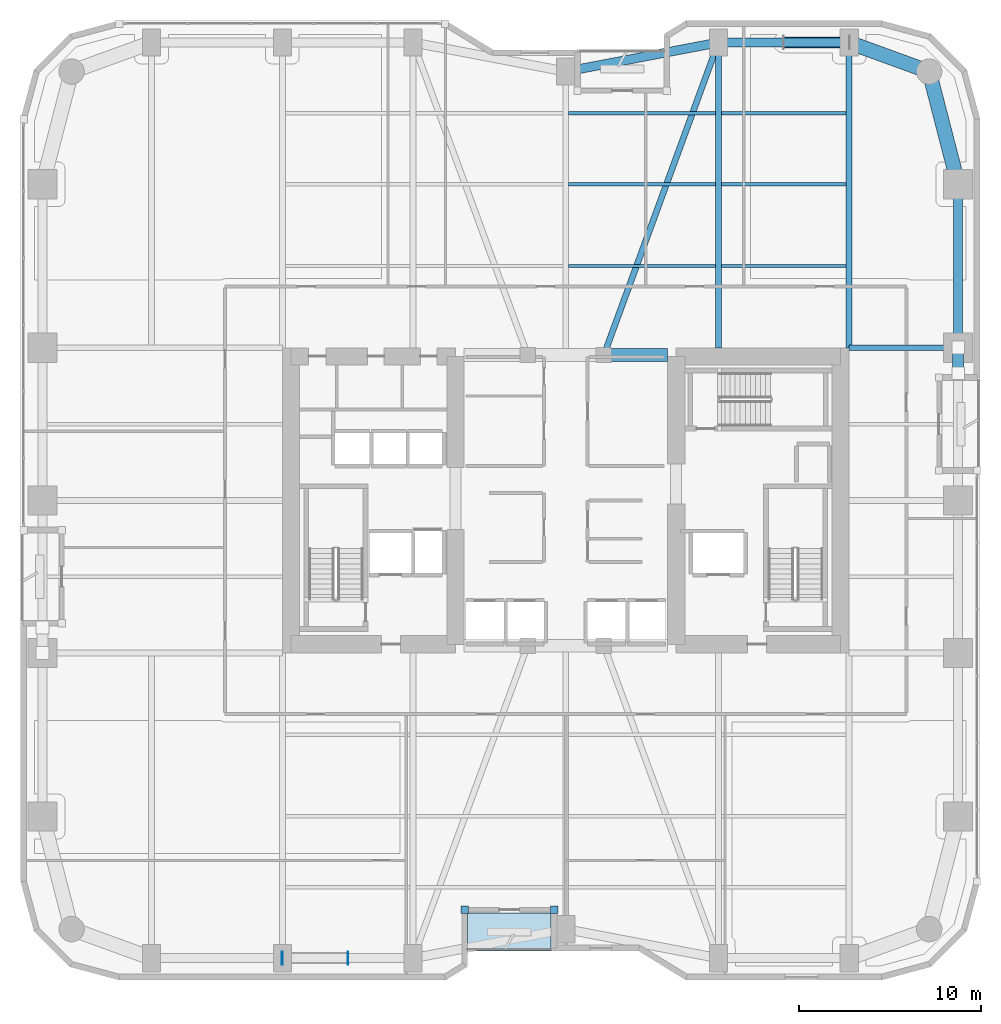
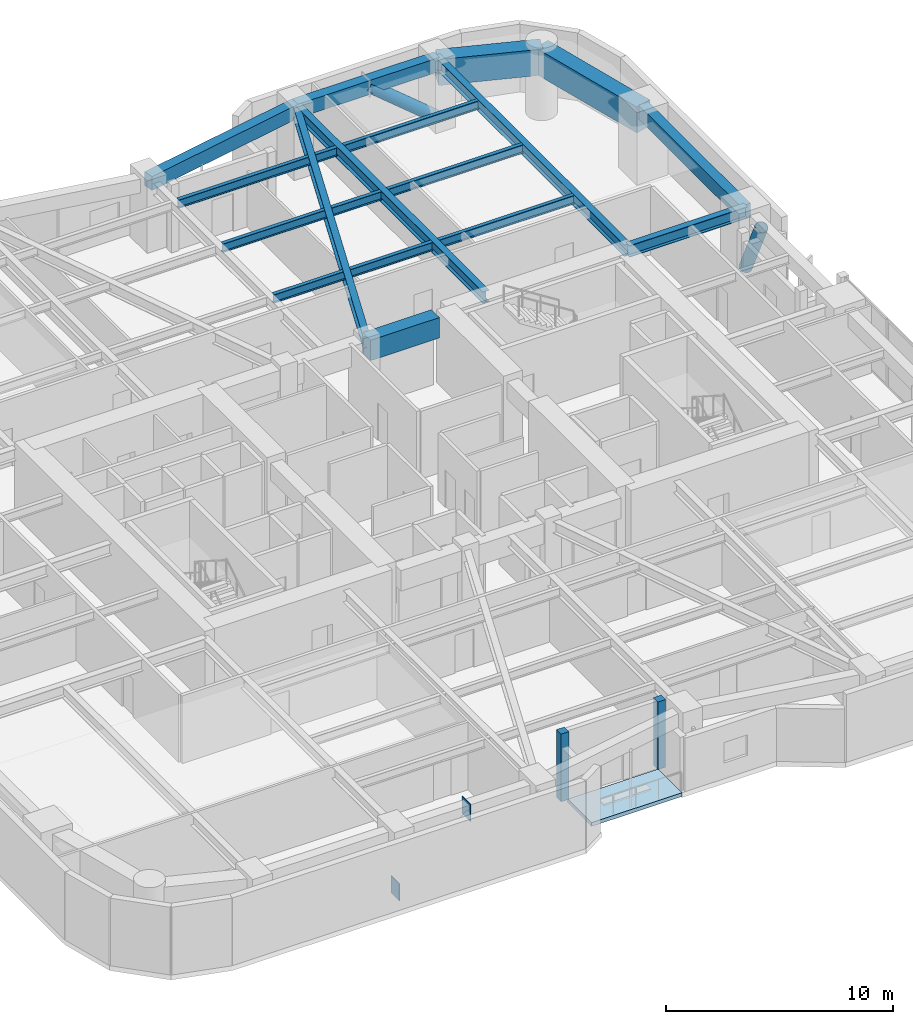
# One storey, part 15 of 24: 16 beams, 4 plates, 2 members, 1 slab.
"""IFC4 building model written with IfcOpenShell, lengths in metres."""

from ifc_helpers import new_model, si_unit, direction, frame, origin, origin_2d, place, context, subcontext, project, spatial, polyline, rectangle, hollow_circle, i_section, outline, extrude, material, layer, layer_set, material_profile, profile_set, type_object, element, save


model = new_model("IFC4")

# Units and contexts
model_context = context("Model", 3, precision=1e-05, world=origin(), true_north=direction((0.0, 1.0)))
body_context = subcontext(model_context, "Body", "Model", "MODEL_VIEW")
ifc_project = project(units=[si_unit("LENGTHUNIT", "METRE"), si_unit("AREAUNIT", "SQUARE_METRE"), si_unit("VOLUMEUNIT", "CUBIC_METRE"), si_unit("PLANEANGLEUNIT", "RADIAN"), si_unit("MASSUNIT", "GRAM", prefix="KILO")], contexts=[model_context])

# Site, building, storey
site_placement = place(None, origin())
site = spatial("IfcSite", under=ifc_project, at=site_placement, CompositionType="ELEMENT")
building_placement = place(site_placement, origin())
building = spatial("IfcBuilding", under=site, at=building_placement, Name="Kiyonajd Concourse Tower", CompositionType="ELEMENT")
storey_placement = place(building_placement, frame((0.0, 0.0, 89.699951171875)))
storey = spatial("IfcBuildingStorey", under=building, at=storey_placement, Name="L23", CompositionType="ELEMENT", Elevation=89.699951171875)

# Beams
ifc_material_1 = material(Name="Concrete C70/85", Category="concrete")
ifc_material_profile_1 = material_profile(ifc_material_1, rectangle(XDim=0.699951171875, YDim=1.10009765625, at=origin_2d()), Name="RCBM-700x1100")
ifc_profile_set_1 = profile_set([ifc_material_profile_1], Name="Concrete C70/85")
beam_type_1 = type_object("IfcBeamType", Name="BM-COUP-1100", PredefinedType="LINTEL", material=ifc_profile_set_1)
beam_1_placement = place(storey_placement, frame((50.10009765625, 44.0, 3.090087890625), z_axis=(1.0, 0.0, 0.0), x_axis=(0.0, 1.0, 0.0)))
element("IfcBeam", 1, at=beam_1_placement, inside=storey, type_object=beam_type_1, Name="L23 Core Coupling Beam N3", PredefinedType="LINTEL", context=body_context, shape_type="SweptSolid", body=[
    extrude(rectangle(XDim=0.699951171875, YDim=1.10009765625, at=origin_2d()), origin(), (0.0, 0.0, 1.0), 3.5),
])
ifc_material_2 = material(Name="Steel ASTM A992 Grade 50", Category="steel")
ifc_material_profile_2 = material_profile(ifc_material_2, i_section(OverallWidth=0.19189453125, OverallDepth=0.462890625, WebThickness=0.010498046875, FlangeThickness=0.017578125, at=origin_2d()), Name="W460X89")
ifc_profile_set_2 = profile_set([ifc_material_profile_2], Name="Steel ASTM A992 Grade 50")
beam_type_2 = type_object("IfcBeamType", Name="BM-JST-460B", PredefinedType="JOIST", material=ifc_profile_set_2)
beam_2_placement = place(storey_placement, frame((48.16357421875, 48.89990234375, 3.408447265625), z_axis=(1.0, 0.0, 0.0), x_axis=(0.0, 1.0, 0.0)))
element("IfcBeam", 2, at=beam_2_placement, inside=storey, type_object=beam_type_2, Name="L23 Secondary Floor Joist", PredefinedType="JOIST", context=body_context, shape_type="SweptSolid", body=[
    extrude(i_section(OverallWidth=0.19189453125, OverallDepth=0.462890625, WebThickness=0.010498046875, FlangeThickness=0.017578125, at=origin_2d()), origin(), (0.0, 0.0, 1.0), 8.072998046875),
])
beam_3_placement = place(storey_placement, frame((56.5634765625, 48.89990234375, 3.408447265625), z_axis=(1.0, 0.0, 0.0), x_axis=(0.0, 1.0, 0.0)))
element("IfcBeam", 3, at=beam_3_placement, inside=storey, type_object=beam_type_2, Name="L23 Secondary Floor Joist", PredefinedType="JOIST", context=body_context, shape_type="SweptSolid", body=[
    extrude(i_section(OverallWidth=0.19189453125, OverallDepth=0.462890625, WebThickness=0.010498046875, FlangeThickness=0.017578125, at=origin_2d()), origin(), (0.0, 0.0, 1.0), 6.873046875),
])
beam_4_placement = place(storey_placement, frame((48.16357421875, 53.39990234375, 3.408447265625), z_axis=(1.0, 0.0, 0.0), x_axis=(0.0, 1.0, 0.0)))
element("IfcBeam", 4, at=beam_4_placement, inside=storey, type_object=beam_type_2, Name="L23 Secondary Floor Joist", PredefinedType="JOIST", context=body_context, shape_type="SweptSolid", body=[
    extrude(i_section(OverallWidth=0.19189453125, OverallDepth=0.462890625, WebThickness=0.010498046875, FlangeThickness=0.017578125, at=origin_2d()), origin(), (0.0, 0.0, 1.0), 8.072998046875),
])
beam_5_placement = place(storey_placement, frame((56.5634765625, 53.39990234375, 3.408447265625), z_axis=(1.0, 0.0, 0.0), x_axis=(0.0, 1.0, 0.0)))
element("IfcBeam", 5, at=beam_5_placement, inside=storey, type_object=beam_type_2, Name="L23 Secondary Floor Joist", PredefinedType="JOIST", context=body_context, shape_type="SweptSolid", body=[
    extrude(i_section(OverallWidth=0.19189453125, OverallDepth=0.462890625, WebThickness=0.010498046875, FlangeThickness=0.017578125, at=origin_2d()), origin(), (0.0, 0.0, 1.0), 6.873046875),
])
beam_6_placement = place(storey_placement, frame((48.16357421875, 57.300048828125, 3.408447265625), z_axis=(1.0, 0.0, 0.0), x_axis=(0.0, 1.0, 0.0)))
element("IfcBeam", 6, at=beam_6_placement, inside=storey, type_object=beam_type_2, Name="L23 Secondary Floor Joist", PredefinedType="JOIST", context=body_context, shape_type="SweptSolid", body=[
    extrude(i_section(OverallWidth=0.19189453125, OverallDepth=0.462890625, WebThickness=0.010498046875, FlangeThickness=0.017578125, at=origin_2d()), origin(), (0.0, 0.0, 1.0), 8.072998046875),
])
beam_7_placement = place(storey_placement, frame((56.5634765625, 57.300048828125, 3.408447265625), z_axis=(1.0, 0.0, 0.0), x_axis=(0.0, 1.0, 0.0)))
element("IfcBeam", 7, at=beam_7_placement, inside=storey, type_object=beam_type_2, Name="L23 Secondary Floor Joist", PredefinedType="JOIST", context=body_context, shape_type="SweptSolid", body=[
    extrude(i_section(OverallWidth=0.19189453125, OverallDepth=0.462890625, WebThickness=0.010498046875, FlangeThickness=0.017578125, at=origin_2d()), origin(), (0.0, 0.0, 1.0), 6.873046875),
])
ifc_material_3 = material(Name="Precast concrete C50/60", Category="concrete")
ifc_material_profile_3 = material_profile(ifc_material_3, rectangle(XDim=0.5, YDim=0.75, at=origin_2d()), Name="RCBM-500x750")
ifc_profile_set_3 = profile_set([ifc_material_profile_3], Name="Precast concrete C50/60")
beam_type_3 = type_object("IfcBeamType", Name="BM-SPAN-RC", PredefinedType="SPANDREL", material=ifc_profile_set_3)
beam_8_placement = place(storey_placement, frame((69.60009765625, 44.39990234375, 3.26513671875), z_axis=(0.0, 1.0, 0.0), x_axis=(-1.0, 0.0, 0.0)))
element("IfcBeam", 8, at=beam_8_placement, inside=storey, type_object=beam_type_3, Name="L23 Perimeter Bundled Tube Spandrel", PredefinedType="SPANDREL", context=body_context, shape_type="SweptSolid", body=[
    extrude(rectangle(XDim=0.5, YDim=0.75, at=origin_2d()), origin(), (0.0, 0.0, 1.0), 9.0),
])
beam_9_placement = place(storey_placement, frame((63.60009765625, 61.199951171875, 3.26513671875), z_axis=(-1.0, 0.0, 0.0), x_axis=(0.0, -1.0, 0.0)))
element("IfcBeam", 9, at=beam_9_placement, inside=storey, type_object=beam_type_3, Name="L23 Perimeter Bundled Tube Spandrel", PredefinedType="SPANDREL", context=body_context, shape_type="SweptSolid", body=[
    extrude(rectangle(XDim=0.5, YDim=0.75, at=origin_2d()), origin(), (0.0, 0.0, 1.0), 7.2001953125),
])
beam_10_placement = place(storey_placement, frame((56.39990234375, 61.199951171875, 3.26513671875), z_axis=(-0.982341315253, -0.187097675953, 0.0), x_axis=(0.187097675953, -0.982341315253, 0.0)))
element("IfcBeam", 10, at=beam_10_placement, inside=storey, type_object=beam_type_3, Name="L23 Perimeter Bundled Tube Spandrel", PredefinedType="SPANDREL", context=body_context, shape_type="SweptSolid", body=[
    extrude(rectangle(XDim=0.5, YDim=0.75, at=origin_2d()), origin(), (0.0, 0.0, 1.0), 8.55078125),
])
ifc_material_profile_4 = material_profile(ifc_material_2, i_section(OverallWidth=0.326904296875, OverallDepth=0.6220703125, WebThickness=0.015380859375, FlangeThickness=0.0244140625, at=origin_2d()), Name="W610X195")
ifc_profile_set_4 = profile_set([ifc_material_profile_4], Name="Steel ASTM A992 Grade 50")
beam_type_4 = type_object("IfcBeamType", Name="BM-TWR-610A", PredefinedType="BEAM", material=ifc_profile_set_4)
beam_11_placement = place(storey_placement, frame((50.10009765625, 44.0, 3.3291015625), z_axis=(0.343925269715, 0.938997022813, 0.0), x_axis=(-0.938997022813, 0.343925269715, 0.0)))
element("IfcBeam", 11, at=beam_11_placement, inside=storey, type_object=beam_type_4, Name="L23 Core Tie Girder", PredefinedType="BEAM", context=body_context, shape_type="SweptSolid", body=[
    extrude(i_section(OverallWidth=0.326904296875, OverallDepth=0.6220703125, WebThickness=0.015380859375, FlangeThickness=0.0244140625, at=origin_2d()), origin(), (0.0, 0.0, 1.0), 18.3173828125),
])
for number, where, z_axis, x_axis, name in (
    (12, (56.39990234375, 44.39990234375, 3.3291015625), (0.0, 1.0, 0.0), (-1.0, 0.0, 0.0), "L23 North Lease Girder"),
    (13, (63.60009765625, 44.39990234375, 3.3291015625), (0.0, 1.0, 0.0), (-1.0, 0.0, 0.0), "L23 North Lease Girder"),
):
    element("IfcBeam", number, at=place(storey_placement, frame(where, z_axis=z_axis, x_axis=x_axis)), inside=storey, type_object=beam_type_4, Name=name, PredefinedType="BEAM", context=body_context, shape_type="SweptSolid", body=[
        extrude(i_section(OverallWidth=0.326904296875, OverallDepth=0.6220703125, WebThickness=0.015380859375, FlangeThickness=0.0244140625, at=origin_2d()), origin(), (0.0, 0.0, 1.0), 16.800048828125),
    ])
beam_12_placement = place(storey_placement, frame((63.60009765625, 44.39990234375, 3.3291015625), z_axis=(1.0, 0.0, 0.0), x_axis=(0.0, 1.0, 0.0)))
element("IfcBeam", 14, at=beam_12_placement, inside=storey, type_object=beam_type_4, Name="L23 East Lease Girder", PredefinedType="BEAM", context=body_context, shape_type="SweptSolid", body=[
    extrude(i_section(OverallWidth=0.326904296875, OverallDepth=0.6220703125, WebThickness=0.015380859375, FlangeThickness=0.0244140625, at=origin_2d()), origin(), (0.0, 0.0, 1.0), 6.0),
])
ifc_material_4 = material(Name="Concrete C60/75", Category="concrete")
ifc_material_profile_5 = material_profile(ifc_material_4, rectangle(XDim=0.800048828125, YDim=1.39990234375, at=origin_2d()), Name="RCBM-800x1400")
ifc_profile_set_5 = profile_set([ifc_material_profile_5], Name="Concrete C60/75")
beam_type_5 = type_object("IfcBeamType", Name="BM-XFER-RC", PredefinedType="BEAM", material=ifc_profile_set_5)
beam_13_placement = place(storey_placement, frame((69.60009765625, 53.39990234375, 2.93994140625), z_axis=(-0.249884937687, 0.968275538221, 0.0), x_axis=(-0.968275538221, -0.249884937687, 0.0)))
element("IfcBeam", 15, at=beam_13_placement, inside=storey, type_object=beam_type_5, Name="L23 Perimeter Bundled Tube Spandrel", PredefinedType="BEAM", context=body_context, shape_type="SweptSolid", body=[
    extrude(rectangle(XDim=0.800048828125, YDim=1.39990234375, at=origin_2d()), origin(), (0.0, 0.0, 1.0), 6.4033203125),
])
beam_14_placement = place(storey_placement, frame((68.0, 59.60009765625, 2.93994140625), z_axis=(-0.939801036019, 0.341722127901, 0.0), x_axis=(-0.341722127901, -0.939801036019, 0.0)))
element("IfcBeam", 16, at=beam_14_placement, inside=storey, type_object=beam_type_5, Name="L23 Perimeter Bundled Tube Spandrel", PredefinedType="BEAM", context=body_context, shape_type="SweptSolid", body=[
    extrude(rectangle(XDim=0.800048828125, YDim=1.39990234375, at=origin_2d()), origin(), (0.0, 0.0, 1.0), 4.681640625),
])

# Members
ifc_material_5 = material(Name="Steel ASTM A572 Grade 50", Category="steel")
ifc_material_profile_6 = material_profile(ifc_material_5, hollow_circle(Radius=0.304931640625, WallThickness=0.02490234375, at=origin_2d()), Name="CHS-610x25")
ifc_profile_set_6 = profile_set([ifc_material_profile_6], Name="Steel ASTM A572 Grade 50")
member_type = type_object("IfcMemberType", Name="MB-PB-LOW", PredefinedType="BRACE", material=ifc_profile_set_6)
member_1_placement = place(storey_placement, frame((63.60009765625, 61.199951171875, 0.300048828125), z_axis=(-0.769280705518, 0.0, 0.638910945373), x_axis=(0.0, -1.0, 0.0)))
element("IfcMember", 17, at=member_1_placement, inside=storey, type_object=member_type, Name="L23 Lower Zone Welded Tube Brace PBN", PredefinedType="BRACE", context=body_context, shape_type="SweptSolid", body=[
    extrude(hollow_circle(Radius=0.304931640625, WallThickness=0.02490234375, at=origin_2d()), origin(), (0.0, 0.0, 1.0), 4.679931640625),
])
member_2_placement = place(storey_placement, frame((69.60009765625, 44.39990234375, 0.300048828125), z_axis=(0.0, -0.424022702926, 0.905651559598), x_axis=(1.0, 0.0, 0.0)))
element("IfcMember", 18, at=member_2_placement, inside=storey, type_object=member_type, Name="L23 Lower Zone Welded Tube Brace PBE", PredefinedType="BRACE", context=body_context, shape_type="SweptSolid", body=[
    extrude(hollow_circle(Radius=0.304931640625, WallThickness=0.02490234375, at=origin_2d()), origin(), (0.0, 0.0, 1.0), 3.301513671875),
])

# Plates
ifc_layer_1 = layer(ifc_material_5, 0.028076171875)
ifc_layer_set_1 = layer_set([ifc_layer_1], Name="Steel ASTM A572 Grade 50")
plate_type_1 = type_object("IfcPlateType", Name="PL-CAP-450", PredefinedType="USERDEFINED", material=ifc_layer_set_1)
for number, where, z_axis, x_axis, name in (
    (19, (32.3916015625, 10.800048828125, -0.173583984375), (0.0, 0.0, 1.0), (-1.0, 0.0, 0.0), "L23 Hollow Brace End Cap Plate PBS"),
    (20, (36.008544921875, 10.800048828125, 2.83056640625), (0.0, 0.0, 1.0), (1.0, 0.0, 0.0), "L23 Hollow Brace Top Cap Plate PBS"),
):
    element("IfcPlate", number, at=place(storey_placement, frame(where, z_axis=z_axis, x_axis=x_axis)), inside=storey, type_object=plate_type_1, Name=name, ObjectType="CAP PLATE", PredefinedType="USERDEFINED", context=body_context, shape_type="SweptSolid", body=[
        extrude(rectangle(XDim=0.035888671875, YDim=0.72998046875, at=origin_2d()), origin(), (0.0, 0.0, 1.0), 0.93310546875),
    ])
ifc_material_6 = material(Name="Thermally Broken Anodised Aluminium", Category="aluminium")
ifc_layer_2 = layer(ifc_material_6, 0.39990234375)
ifc_layer_set_2 = layer_set([ifc_layer_2], Name="Thermally Broken Anodised Aluminium")
plate_type_2 = type_object("IfcPlateType", Name="PL-JMB-400", PredefinedType="USERDEFINED", material=ifc_layer_set_2)
for number, where, z_axis, x_axis, name in (
    (21, (47.360107421875, 13.4599609375, 0.0), (0.0, 0.0, 1.0), (1.0, 0.0, 0.0), "L23 Facade Jamb Closure Plate 13"),
    (22, (42.43994140625, 13.4599609375, 0.0), (0.0, 0.0, 1.0), (1.0, 0.0, 0.0), "L23 Facade Jamb Closure Plate 14"),
):
    element("IfcPlate", number, at=place(storey_placement, frame(where, z_axis=z_axis, x_axis=x_axis)), inside=storey, type_object=plate_type_2, Name=name, ObjectType="JAMB PLATE", PredefinedType="USERDEFINED", context=body_context, shape_type="SweptSolid", body=[
        extrude(rectangle(XDim=0.39990234375, YDim=0.39990234375, at=origin_2d()), origin(), (0.0, 0.0, 1.0), 3.639892578125),
    ])

# Slab
ifc_layer_3 = layer(ifc_material_3, 0.199951171875)
ifc_layer_set_3 = layer_set([ifc_layer_3], Name="Precast concrete C50/60")
slab_type = type_object("IfcSlabType", Name="SL-LOG-200", PredefinedType="FLOOR", material=ifc_layer_set_3)
slab_placement = place(storey_placement, frame((0.0, 0.0, -0.199951171875)))
element("IfcSlab", 23, at=slab_placement, inside=storey, type_object=slab_type, Name="L23 Recessed Engawa Loggia Terrace Slab LOG-S", PredefinedType="FLOOR", context=body_context, shape_type="SweptSolid", body=[
    extrude(outline(polyline([(42.60009765625, 11.199951171875), (47.199951171875, 11.199951171875), (47.199951171875, 13.300048828125), (42.60009765625, 13.300048828125), (42.60009765625, 11.199951171875)])), origin(), (0.0, 0.0, 1.0), 0.199951171875),
])

save(model, "model.ifc")
